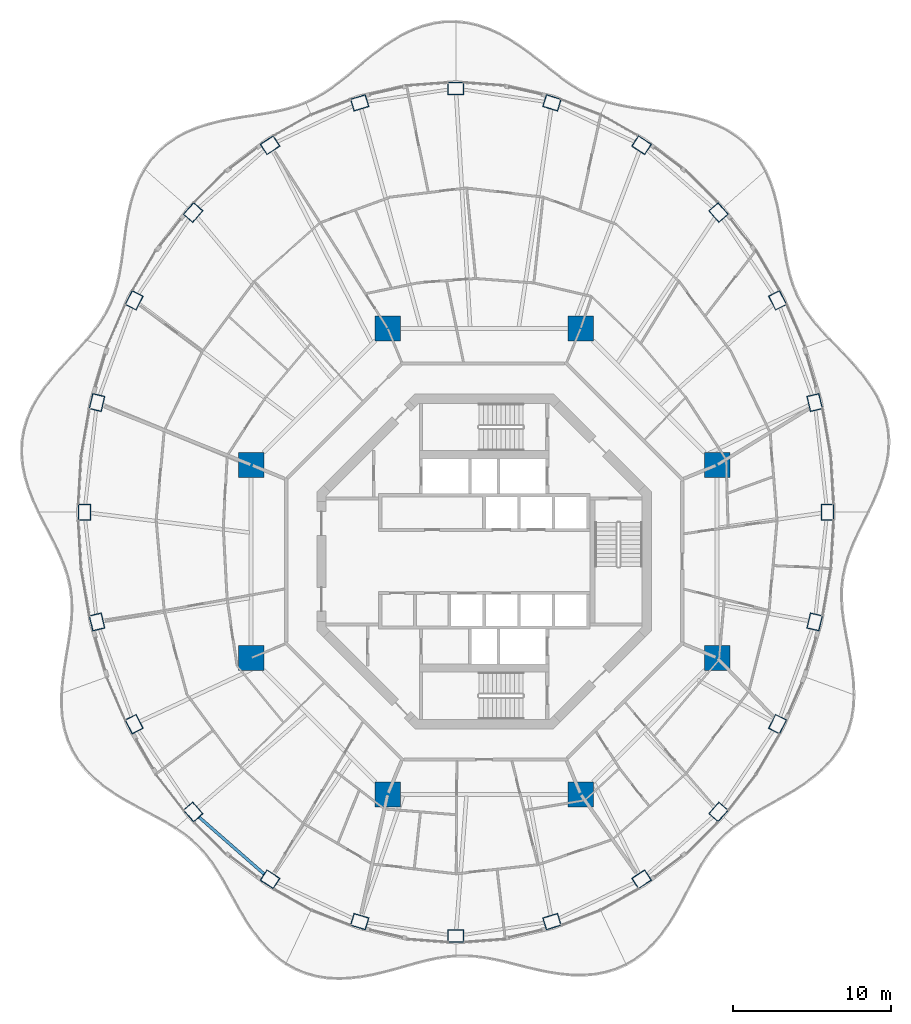
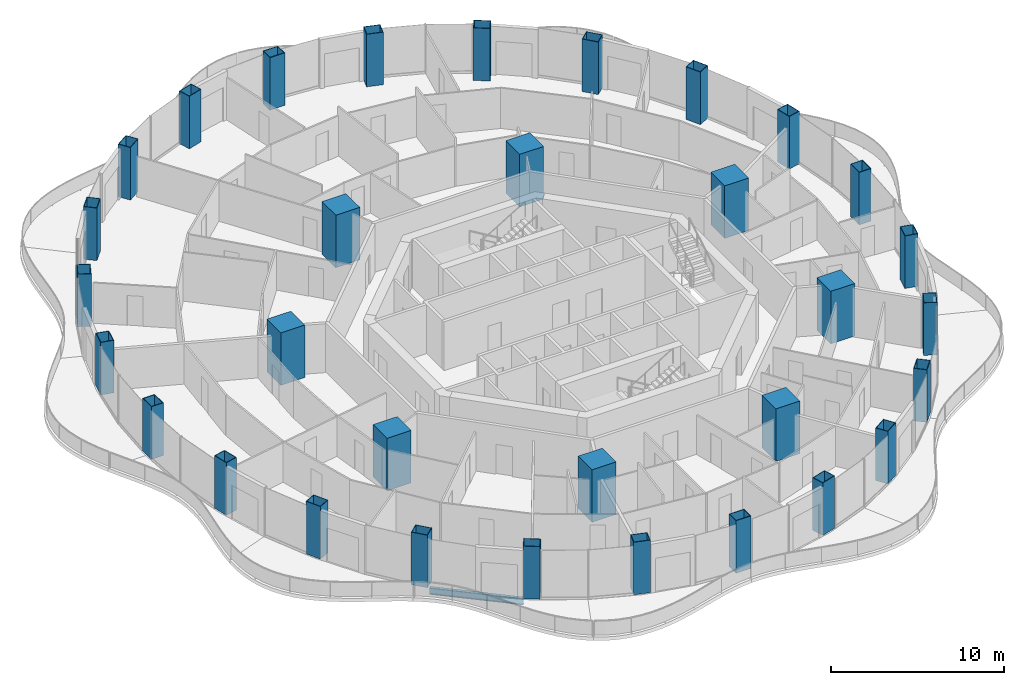
# One storey, part 1 of 18: 32 columns, 1 beam.
"""IFC4 building model written with IfcOpenShell, lengths in metres."""

from ifc_helpers import new_model, si_unit, direction, frame, origin, origin_2d, place, context, subcontext, project, spatial, rectangle, hollow_rectangle, i_section, extrude, material, material_profile, profile_set, type_object, element, save


model = new_model("IFC4")

# Units and contexts
model_context = context("Model", 3, precision=1e-05, world=origin(), true_north=direction((0.0, 1.0)))
body_context = subcontext(model_context, "Body", "Model", "MODEL_VIEW")
ifc_project = project(units=[si_unit("LENGTHUNIT", "METRE"), si_unit("AREAUNIT", "SQUARE_METRE"), si_unit("VOLUMEUNIT", "CUBIC_METRE"), si_unit("PLANEANGLEUNIT", "RADIAN"), si_unit("MASSUNIT", "GRAM", prefix="KILO")], contexts=[model_context])

# Site, building, storey
site_placement = place(None, origin())
site = spatial("IfcSite", under=ifc_project, at=site_placement, CompositionType="ELEMENT")
building_placement = place(site_placement, origin())
building = spatial("IfcBuilding", under=site, at=building_placement, Name="Nagisa Residences", CompositionType="ELEMENT")
storey_placement = place(building_placement, frame((0.0, 0.0, 234.39990234375)))
storey = spatial("IfcBuildingStorey", under=building, at=storey_placement, Name="L59", CompositionType="ELEMENT", Elevation=234.39990234375)

# Columns
ifc_material_1 = material(Name="Concrete C80", Category="concrete")
ifc_material_profile_1 = material_profile(ifc_material_1, rectangle(XDim=1.60009765625, YDim=1.60009765625, at=origin_2d()), Name="C80 1600x1600")
ifc_profile_set_1 = profile_set([ifc_material_profile_1], Name="Concrete C80")
column_type_1 = type_object("IfcColumnType", Name="Inner megacolumn C80 1600x1600", PredefinedType="COLUMN", material=ifc_profile_set_1)
for number, where, z_axis, x_axis, name in (
    (1, (14.781982421875, 6.123046875, 0.0), (0.0, 0.0, 1.0), (1.0, 0.0, 0.0), "col:L59:i1"),
    (2, (6.123046875, 14.781982421875, 0.0), (0.0, 0.0, 1.0), (1.0, 0.0, 0.0), "col:L59:i2"),
    (3, (-6.123046875, 14.781982421875, 0.0), (0.0, 0.0, 1.0), (1.0, 0.0, 0.0), "col:L59:i3"),
    (4, (-14.781982421875, 6.123046875, 0.0), (0.0, 0.0, 1.0), (1.0, 0.0, 0.0), "col:L59:i4"),
    (5, (-14.781982421875, -6.123046875, 0.0), (0.0, 0.0, 1.0), (1.0, 0.0, 0.0), "col:L59:i5"),
    (6, (-6.123046875, -14.781982421875, 0.0), (0.0, 0.0, 1.0), (1.0, 0.0, 0.0), "col:L59:i6"),
    (7, (6.123046875, -14.781982421875, 0.0), (0.0, 0.0, 1.0), (1.0, 0.0, 0.0), "col:L59:i7"),
    (8, (14.781982421875, -6.123046875, 0.0), (0.0, 0.0, 1.0), (1.0, 0.0, 0.0), "col:L59:i8"),
):
    element("IfcColumn", number, at=place(storey_placement, frame(where, z_axis=z_axis, x_axis=x_axis)), inside=storey, type_object=column_type_1, Name=name, PredefinedType="COLUMN", context=body_context, shape_type="SweptSolid", body=[
        extrude(rectangle(XDim=1.60009765625, YDim=1.60009765625, at=origin_2d()), origin(), (0.0, 0.0, 1.0), 3.7001953125),
    ])
ifc_material_2 = material(Name="Steel ASTM A572 Gr 50", Category="steel")
ifc_material_profile_2 = material_profile(ifc_material_2, hollow_rectangle(XDim=1.0, YDim=0.800048828125, WallThickness=0.031982421875, at=origin_2d()), Name="BX 1000x800x32")
ifc_profile_set_2 = profile_set([ifc_material_profile_2], Name="Steel ASTM A572 Gr 50")
column_type_2 = type_object("IfcColumnType", Name="Perimeter column BX 1000x800x32", PredefinedType="COLUMN", material=ifc_profile_set_2)
for number, where, z_axis, x_axis, name in (
    (9, (21.77001953125, 3.11767578125, 0.0), (0.0, 0.0, 1.0), (0.0, 1.0, 0.0), "col:L59:p00"),
    (10, (20.966796875, 10.077392578125, 0.0), (0.0, 0.0, 1.0), (-0.229202013103, 0.973378876486, 0.0), "col:L59:p01"),
    (11, (18.6123046875, 16.562744140625, 0.0), (0.0, 0.0, 1.0), (-0.452462697578, 0.891783329795, 0.0), "col:L59:p02"),
    (12, (14.866455078125, 22.1318359375, 0.0), (0.0, 0.0, 1.0), (-0.660114607735, 0.751164898445, 0.0), "col:L59:p03"),
    (13, (9.985107421875, 26.405029296875, 0.0), (0.0, 0.0, 1.0), (-0.835766105673, 0.54908561865, 0.0), "col:L59:p04"),
    (14, (4.30029296875, 29.091552734375, 0.0), (0.0, 0.0, 1.0), (-0.956524583408, 0.291651712384, 0.0), "col:L59:p05"),
    (15, (-1.800048828125, 30.0078125, 0.0), (0.0, 0.0, 1.0), (-1.0, 0.0, 0.0), "col:L59:p06"),
    (16, (-7.900390625, 29.091552734375, 0.0), (0.0, 0.0, 1.0), (-0.956524583408, -0.291651712384, 0.0), "col:L59:p07"),
    (17, (-13.5849609375, 26.405029296875, 0.0), (0.0, 0.0, 1.0), (-0.835766105673, -0.54908561865, 0.0), "col:L59:p08"),
    (18, (-18.466552734375, 22.1318359375, 0.0), (0.0, 0.0, 1.0), (-0.660114607735, -0.751164898445, 0.0), "col:L59:p09"),
    (19, (-22.212158203125, 16.562744140625, 0.0), (0.0, 0.0, 1.0), (-0.452462697578, -0.891783329795, 0.0), "col:L59:p10"),
    (20, (-24.56689453125, 10.077392578125, 0.0), (0.0, 0.0, 1.0), (-0.229202013103, -0.973378876486, 0.0), "col:L59:p11"),
    (21, (-25.3701171875, 3.11767578125, 0.0), (0.0, 0.0, 1.0), (0.0, -1.0, 0.0), "col:L59:p12"),
    (22, (-24.56689453125, -3.842041015625, 0.0), (0.0, 0.0, 1.0), (0.229202013103, -0.973378876486, 0.0), "col:L59:p13"),
    (23, (-22.212158203125, -10.327392578125, 0.0), (0.0, 0.0, 1.0), (0.452462697578, -0.891783329795, 0.0), "col:L59:p14"),
    (24, (-18.466552734375, -15.896484375, 0.0), (0.0, 0.0, 1.0), (0.660114607735, -0.751164898445, 0.0), "col:L59:p15"),
    (25, (-13.5849609375, -20.169677734375, 0.0), (0.0, 0.0, 1.0), (0.835766105673, -0.54908561865, 0.0), "col:L59:p16"),
    (26, (-7.900390625, -22.85595703125, 0.0), (0.0, 0.0, 1.0), (0.956524583408, -0.291651712384, 0.0), "col:L59:p17"),
    (27, (-1.800048828125, -23.772216796875, 0.0), (0.0, 0.0, 1.0), (1.0, 0.0, 0.0), "col:L59:p18"),
    (28, (4.30029296875, -22.85595703125, 0.0), (0.0, 0.0, 1.0), (0.956524583408, 0.291651712384, 0.0), "col:L59:p19"),
    (29, (9.985107421875, -20.169677734375, 0.0), (0.0, 0.0, 1.0), (0.835766105673, 0.54908561865, 0.0), "col:L59:p20"),
    (30, (14.866455078125, -15.896484375, 0.0), (0.0, 0.0, 1.0), (0.660114607735, 0.751164898445, 0.0), "col:L59:p21"),
    (31, (18.6123046875, -10.327392578125, 0.0), (0.0, 0.0, 1.0), (0.452462697578, 0.891783329795, 0.0), "col:L59:p22"),
    (32, (20.966796875, -3.842041015625, 0.0), (0.0, 0.0, 1.0), (0.229202013103, 0.973378876486, 0.0), "col:L59:p23"),
):
    element("IfcColumn", number, at=place(storey_placement, frame(where, z_axis=z_axis, x_axis=x_axis)), inside=storey, type_object=column_type_2, Name=name, PredefinedType="COLUMN", context=body_context, shape_type="SweptSolid", body=[
        extrude(hollow_rectangle(XDim=1.0, YDim=0.800048828125, WallThickness=0.031982421875, at=origin_2d()), origin(), (0.0, 0.0, 1.0), 3.7001953125),
    ])

# Beam
ifc_material_3 = material(Name="Steel ASTM A572 Gr 50", Category="steel")
ifc_material_profile_3 = material_profile(ifc_material_3, i_section(OverallWidth=0.18994140625, OverallDepth=0.45703125, WebThickness=0.009033203125, FlangeThickness=0.014404296875, at=origin_2d()), Name="W460x74")
ifc_profile_set_3 = profile_set([ifc_material_profile_3], Name="Steel ASTM A572 Gr 50")
beam_type = type_object("IfcBeamType", Name="Perimeter ring beam W460x74", PredefinedType="BEAM", material=ifc_profile_set_3)
beam_placement = place(storey_placement, frame((-18.10205078125, -16.21533203125, -0.48828125), z_axis=(0.75242320672, -0.65867998147, 0.0), x_axis=(0.65867998147, 0.75242320672, 0.0)))
element("IfcBeam", 33, at=beam_placement, inside=storey, type_object=beam_type, Name="beam:L59:pb16", PredefinedType="BEAM", context=body_context, shape_type="SweptSolid", body=[
    extrude(i_section(OverallWidth=0.18994140625, OverallDepth=0.45703125, WebThickness=0.009033203125, FlangeThickness=0.014404296875, at=origin_2d()), origin(), (0.0, 0.0, 1.0), 5.5185546875),
])

save(model, "model.ifc")
